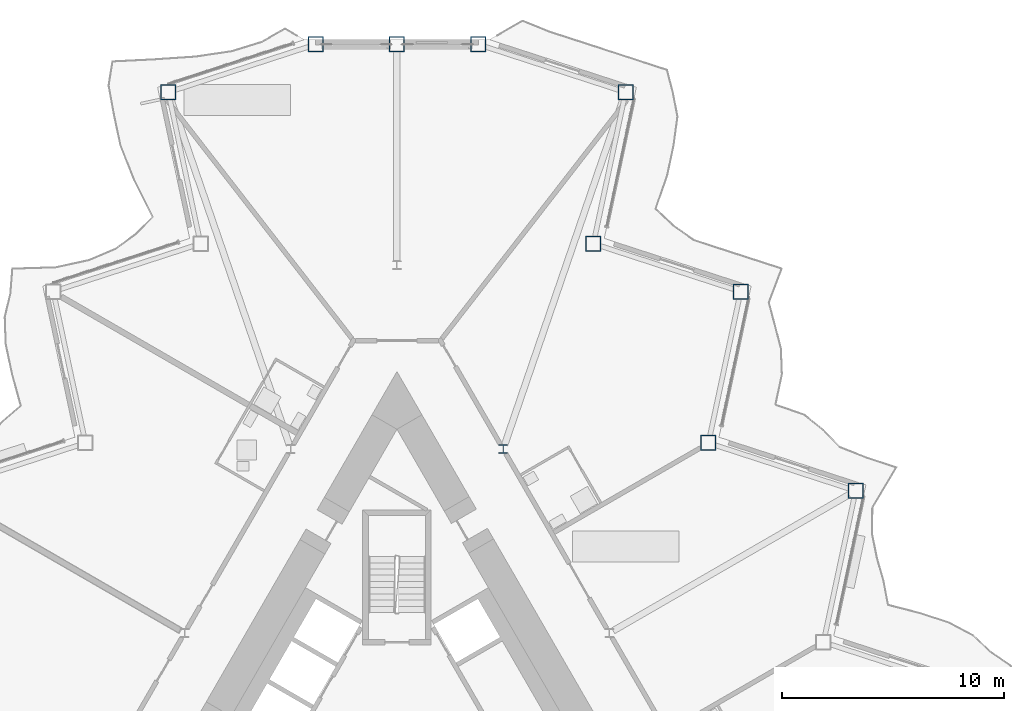
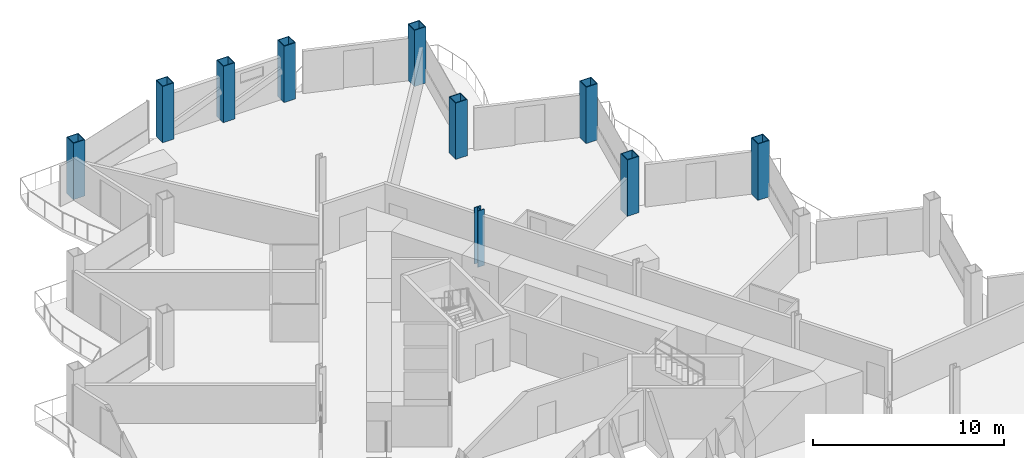
# One storey, part 3 of 23: 10 columns.
"""IFC4 building model written with IfcOpenShell, lengths in metres."""

from ifc_helpers import new_model, si_unit, direction, frame, origin, origin_2d, place, context, subcontext, project, spatial, hollow_rectangle, i_section, extrude, material, material_profile, profile_set, type_object, element, save


model = new_model("IFC4")

# Units and contexts
model_context = context("Model", 3, precision=1e-05, world=origin(), true_north=direction((0.0, 1.0)))
body_context = subcontext(model_context, "Body", "Model", "MODEL_VIEW")
ifc_project = project(units=[si_unit("LENGTHUNIT", "METRE"), si_unit("AREAUNIT", "SQUARE_METRE"), si_unit("VOLUMEUNIT", "CUBIC_METRE"), si_unit("PLANEANGLEUNIT", "RADIAN"), si_unit("MASSUNIT", "GRAM", prefix="KILO")], contexts=[model_context])

# Site, building, storey
site_placement = place(None, origin())
site = spatial("IfcSite", under=ifc_project, at=site_placement, CompositionType="ELEMENT")
building_placement = place(site_placement, origin())
building = spatial("IfcBuilding", under=site, at=building_placement, Name="Cormorant Prow Tower", CompositionType="ELEMENT")
storey_placement = place(building_placement, frame((0.0, 0.0, 241.800048828125)))
storey = spatial("IfcBuildingStorey", under=building, at=storey_placement, Name="L53", CompositionType="ELEMENT", Elevation=241.800048828125)

# Columns
ifc_material_1 = material(Name="Structural steel ASTM A572 Gr 50", Category="steel")
ifc_material_profile_1 = material_profile(ifc_material_1, hollow_rectangle(XDim=0.699951171875, YDim=0.699951171875, WallThickness=0.044921875, at=origin_2d()), Name="Box 700x700x45")
ifc_profile_set_1 = profile_set([ifc_material_profile_1], Name="Structural steel ASTM A572 Gr 50")
column_type_1 = type_object("IfcColumnType", Name="Perimeter box column 700x700x45", PredefinedType="COLUMN", material=ifc_profile_set_1)
for number, where, z_axis, x_axis, name in (
    (1, (20.686767578125, 11.943359375, 0.0), (0.0, 0.0, 1.0), (1.0, 0.0, 0.0), "Perimeter column C5 at ENE05 L53"),
    (2, (14.046875, 14.100830078125, 0.0), (0.0, 0.0, 1.0), (1.0, 0.0, 0.0), "Perimeter column C5 at ENE06 L53"),
    (3, (15.49853515625, 20.9296875, 0.0), (0.0, 0.0, 1.0), (1.0, 0.0, 0.0), "Perimeter column C5 at ENE07 L53"),
    (4, (8.858642578125, 23.087158203125, 0.0), (0.0, 0.0, 1.0), (1.0, 0.0, 0.0), "Perimeter column C5 at ENE08 L53"),
    (5, (10.310302734375, 29.916015625, 0.0), (0.0, 0.0, 1.0), (1.0, 0.0, 0.0), "Perimeter column C5 at ENE09 L53"),
    (6, (3.67041015625, 32.073486328125, 0.0), (0.0, 0.0, 1.0), (1.0, 0.0, 0.0), "Perimeter column C5 at N00 L53"),
    (7, (0.0, 32.073486328125, 0.0), (0.0, 0.0, 1.0), (1.0, 0.0, 0.0), "Perimeter column C5 at N01 L53"),
    (8, (-3.67041015625, 32.073486328125, 0.0), (0.0, 0.0, 1.0), (1.0, 0.0, 0.0), "Perimeter column C5 at WNW00 L53"),
    (9, (-10.310302734375, 29.916015625, 0.0), (0.0, 0.0, 1.0), (1.0, 0.0, 0.0), "Perimeter column C5 at WNW01 L53"),
):
    element("IfcColumn", number, at=place(storey_placement, frame(where, z_axis=z_axis, x_axis=x_axis)), inside=storey, type_object=column_type_1, Name=name, PredefinedType="COLUMN", context=body_context, shape_type="SweptSolid", body=[
        extrude(hollow_rectangle(XDim=0.699951171875, YDim=0.699951171875, WallThickness=0.044921875, at=origin_2d()), origin(), (0.0, 0.0, 1.0), 3.599853515625),
    ])
ifc_material_2 = material(Name="Structural steel ASTM A992 Gr 50", Category="steel")
ifc_material_profile_2 = material_profile(ifc_material_2, i_section(OverallWidth=0.39892578125, OverallDepth=0.393310546875, WebThickness=0.022705078125, FlangeThickness=0.03662109375, at=origin_2d()), Name="W14x193")
ifc_profile_set_2 = profile_set([ifc_material_profile_2], Name="Structural steel ASTM A992 Gr 50")
column_type_2 = type_object("IfcColumnType", Name="Ring column W14x193", PredefinedType="COLUMN", material=ifc_profile_set_2)
column_placement = place(storey_placement, frame((4.789306640625, 13.8251953125, 0.0), z_axis=(0.0, 0.0, 1.0), x_axis=(1.0, 0.0, 0.0)))
element("IfcColumn", 10, at=column_placement, inside=storey, type_object=column_type_2, Name="Ring column 12 L53", PredefinedType="COLUMN", context=body_context, shape_type="SweptSolid", body=[
    extrude(i_section(OverallWidth=0.39892578125, OverallDepth=0.393310546875, WebThickness=0.022705078125, FlangeThickness=0.03662109375, at=origin_2d()), origin(), (0.0, 0.0, 1.0), 3.599853515625),
])

save(model, "model.ifc")
